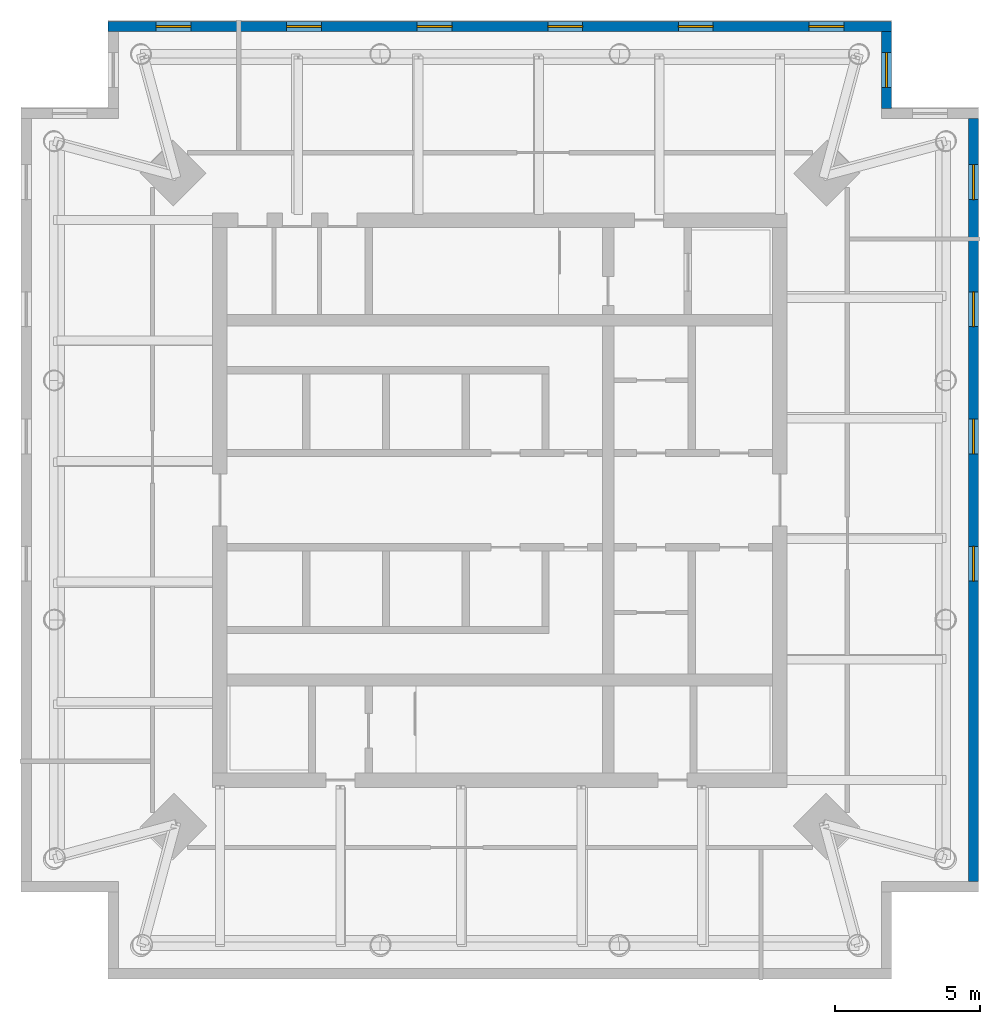
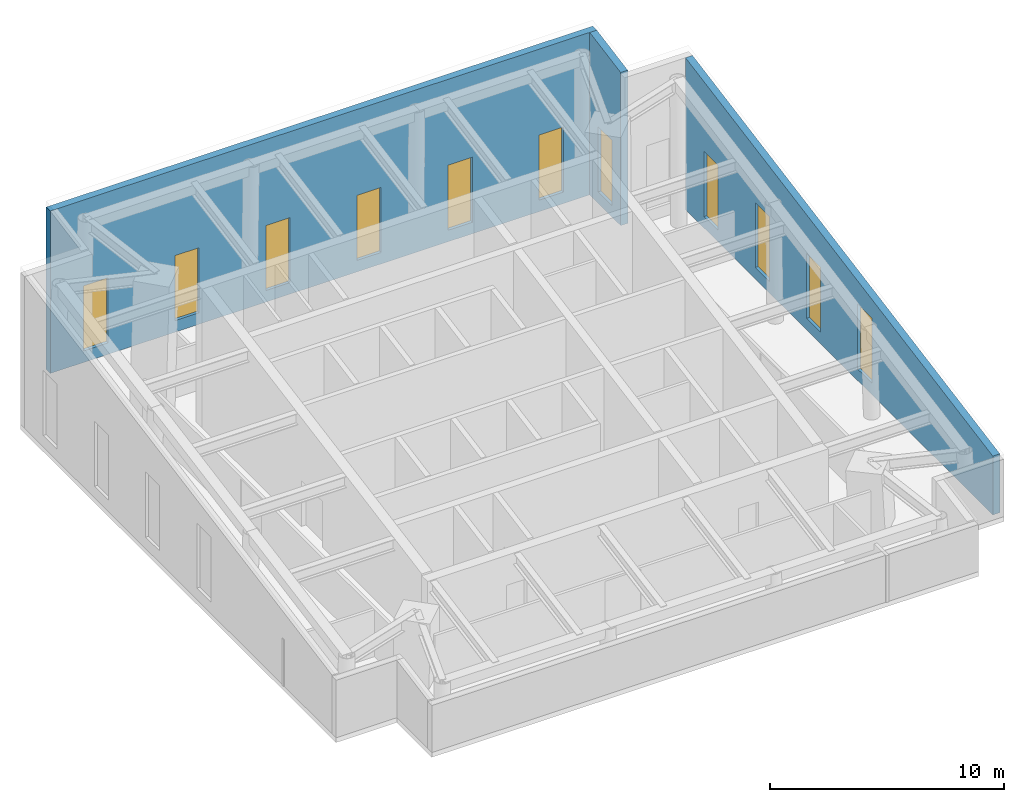
# One storey, part 4 of 5: 11 windows, 3 walls, 11 openings.
"""IFC4 building model written with IfcOpenShell, lengths in metres."""

import ifcopenshell
import ifcopenshell.guid

model = None  # the IFC model being written
_history = None  # IfcOwnerHistory: only IFC2X3 demands one
_inside = {}  # id of a spatial element -> (the spatial element, [elements in it])
_under = {}  # id of a project, library or spatial element -> (it, [spatial elements below it])
_declared = {}  # id of a project -> (the project, [libraries it declares])
_typed = {}  # id of a type object -> (the type object, [elements of that type])
_made_of = {}  # id of a material, layer set ... -> (it, [elements and type objects made of it])


def new_model(schema):
    """Start an empty IFC model of exactly this schema.

    Asked for "IFC4X3", IfcOpenShell would pick the latest addendum, in which some entities
    have other attributes; the version numbers below select the first issue.
    IFC2X3 requires an IfcOwnerHistory on every rooted entity: one is made here for all.
    """
    global model, _history
    if schema == "IFC4X3":
        model = ifcopenshell.file(schema_version=(4, 3, 0, 0))
    else:
        model = ifcopenshell.file(schema=schema)
    _inside.clear()
    _under.clear()
    _declared.clear()
    _typed.clear()
    _made_of.clear()
    _history = None
    if model.schema == "IFC2X3":
        org = make("IfcOrganization", Name="unknown")
        user = make(
            "IfcPersonAndOrganization",
            ThePerson=make("IfcPerson", FamilyName="unknown"),
            TheOrganization=org,
        )
        app = make(
            "IfcApplication",
            ApplicationDeveloper=org,
            Version="unknown",
            ApplicationFullName="unknown",
            ApplicationIdentifier="unknown",
        )
        _history = make(
            "IfcOwnerHistory",
            OwningUser=user,
            OwningApplication=app,
            ChangeAction="ADDED",
            CreationDate=0,
        )
    return model


def make(cls, **values):
    """One entity of the class cls with the attributes given. An attribute that is None is left unset."""
    return model.create_entity(
        cls, **{name: value for name, value in values.items() if value is not None}
    )


def rooted(cls, **values):
    """An entity with a GlobalId (a new one), such as an element, a storey or a relation."""
    return make(cls, GlobalId=ifcopenshell.guid.new(), OwnerHistory=_history, **values)


def si_unit(unit_type, name, prefix=None):
    """IfcSIUnit, for example si_unit("LENGTHUNIT", "METRE", prefix="MILLI")."""
    return make("IfcSIUnit", UnitType=unit_type, Prefix=prefix, Name=name)


def assignment(units):
    """IfcUnitAssignment: the units of a project."""
    return None if units is None else make("IfcUnitAssignment", Units=units)


def point(xyz):
    """IfcCartesianPoint."""
    return None if xyz is None else make("IfcCartesianPoint", Coordinates=xyz)


def direction(xyz):
    """IfcDirection."""
    return None if xyz is None else make("IfcDirection", DirectionRatios=xyz)


def frame(location, z_axis=None, x_axis=None):
    """IfcAxis2Placement3D, a coordinate frame: its origin and axes. An axis left out is left unset."""
    return make(
        "IfcAxis2Placement3D",
        Location=point(location),
        Axis=direction(z_axis),
        RefDirection=direction(x_axis),
    )


def frame_2d(location, x_axis=None):
    """IfcAxis2Placement2D, a coordinate frame in the plane: its origin and x axis."""
    return make(
        "IfcAxis2Placement2D", Location=point(location), RefDirection=direction(x_axis)
    )


def origin():
    """The frame at (0, 0, 0) with its axes left unset."""
    return frame((0.0, 0.0, 0.0))


def place(relative_to, where):
    """IfcLocalPlacement: puts the frame where relative to a parent placement (None: the world)."""
    return make(
        "IfcLocalPlacement", PlacementRelTo=relative_to, RelativePlacement=where
    )


def context(
    kind, dimensions, precision=None, world=None, true_north=None, identifier=None
):
    """IfcGeometricRepresentationContext, for example the 3D "Model" context."""
    return make(
        "IfcGeometricRepresentationContext",
        ContextIdentifier=identifier,
        ContextType=kind,
        CoordinateSpaceDimension=dimensions,
        Precision=precision,
        WorldCoordinateSystem=world,
        TrueNorth=true_north,
    )


def subcontext(parent, identifier, kind, view, scale=None):
    """IfcGeometricRepresentationSubContext, for example "Body" below "Model"."""
    return make(
        "IfcGeometricRepresentationSubContext",
        ContextIdentifier=identifier,
        ContextType=kind,
        ParentContext=parent,
        TargetScale=scale,
        TargetView=view,
    )


def project(units=None, contexts=None):
    """IfcProject with its units and contexts."""
    return rooted(
        "IfcProject",
        Name="project",
        RepresentationContexts=contexts,
        UnitsInContext=assignment(units),
    )


def spatial(cls, under=None, at=None, **own):
    """A site, building, storey or space (cls), placed at a placement, below another one or the project."""
    s = rooted(cls, ObjectPlacement=at, **own)
    if under is not None:
        _under.setdefault(under.id(), (under, []))[1].append(s)
    return s


def polyline(points):
    """IfcPolyline through the points."""
    return make("IfcPolyline", Points=[point(p) for p in points])


def profile(cls, at=None, kind="AREA", **sizes):
    """A parametric profile (cls). Its sizes go by their IFC names, for example OverallWidth=200.0."""
    return make(cls, ProfileType=kind, Position=at, **sizes)


def rectangle(**sizes):
    """IfcRectangleProfileDef."""
    return profile("IfcRectangleProfileDef", **sizes)


def outline(outer, holes=None, kind="AREA"):
    """IfcArbitraryClosedProfileDef: a profile drawn as a closed curve; with holes, ...WithVoids."""
    if holes is None:
        return make("IfcArbitraryClosedProfileDef", ProfileType=kind, OuterCurve=outer)
    return make(
        "IfcArbitraryProfileDefWithVoids",
        ProfileType=kind,
        OuterCurve=outer,
        InnerCurves=holes,
    )


def extrude(swept, where, along, depth):
    """IfcExtrudedAreaSolid: the profile swept, set in the frame where, extruded along a direction by depth."""
    return make(
        "IfcExtrudedAreaSolid",
        SweptArea=swept,
        Position=where,
        ExtrudedDirection=direction(along),
        Depth=depth,
    )


def shape(context_of_items, identifier, shape_type, items):
    """IfcShapeRepresentation: the items that make up one representation, for example the "Body"."""
    return make(
        "IfcShapeRepresentation",
        ContextOfItems=context_of_items,
        RepresentationIdentifier=identifier,
        RepresentationType=shape_type,
        Items=items,
    )


def material(Name=None, Category=None):
    """IfcMaterial."""
    return make("IfcMaterial", Name=Name, Category=Category)


def layer(
    of_material, thickness, ventilated=None, Name=None, Category=None, Priority=None
):
    """IfcMaterialLayer: one layer of a wall or slab, of a material (None: an air gap)."""
    return make(
        "IfcMaterialLayer",
        Material=of_material,
        LayerThickness=thickness,
        IsVentilated=ventilated,
        Name=Name,
        Category=Category,
        Priority=Priority,
    )


def layer_set(layers, Name=None):
    """IfcMaterialLayerSet."""
    return make("IfcMaterialLayerSet", MaterialLayers=layers, LayerSetName=Name)


def made_of(thing, what):
    """Note that an element or type object is made of a material, layer set ...; save() writes the relation."""
    if what is not None:
        _made_of.setdefault(what.id(), (what, []))[1].append(thing)
    return thing


def type_object(cls, material=None, **own):
    """A type object (cls), such as IfcWallType, which elements share."""
    return made_of(rooted(cls, **own), material)


def element(
    cls,
    number,
    at=None,
    inside=None,
    cuts=None,
    type_object=None,
    material=None,
    context=None,
    identifier="Body",
    shape_type=None,
    held_by="IfcProductDefinitionShape",
    body=None,
    shapes=None,
    **own,
):
    """One element of the class cls, such as IfcWall. Its Tag is "e" and its number.

    at: its placement. inside: the storey or other place that contains it. cuts: it is an
    opening in that element (IfcRelVoidsElement). A single representation is given by context,
    identifier, shape_type and body (its items); several are given by shapes. held_by: the class
    of the entity that holds the representations. save() writes the other relations.
    """
    e = rooted(cls, Tag="e%d" % number, ObjectPlacement=at, **own)
    if body is not None:
        shapes = [shape(context, identifier, shape_type, body)]
    if shapes is not None:
        e.Representation = make(held_by, Representations=shapes)
    if inside is not None:
        _inside.setdefault(inside.id(), (inside, []))[1].append(e)
    if cuts is not None:
        rooted(
            "IfcRelVoidsElement", RelatingBuildingElement=cuts, RelatedOpeningElement=e
        )
    if type_object is not None:
        _typed.setdefault(type_object.id(), (type_object, []))[1].append(e)
    return made_of(e, material)


def fill(opening, filler):
    """IfcRelFillsElement: the door or window that sits in an opening."""
    return rooted(
        "IfcRelFillsElement",
        RelatingOpeningElement=opening,
        RelatedBuildingElement=filler,
    )


def aggregate(whole, parts):
    """IfcRelAggregates: a whole, such as a stair, and the parts it consists of."""
    return rooted("IfcRelAggregates", RelatingObject=whole, RelatedObjects=parts)


def save(model, path):
    """Write the relations noted so far, then the file.

    IfcRelAggregates (storeys below a building ...), IfcRelContainedInSpatialStructure (elements
    in a storey), IfcRelDefinesByType, IfcRelAssociatesMaterial and IfcRelDeclares: one each for
    every whole, place, type object, material and project.
    """
    for whole, parts in _under.values():
        aggregate(whole, parts)
    for where, things in _inside.values():
        rooted(
            "IfcRelContainedInSpatialStructure",
            RelatedElements=things,
            RelatingStructure=where,
        )
    for kind, things in _typed.values():
        rooted("IfcRelDefinesByType", RelatedObjects=things, RelatingType=kind)
    for what, things in _made_of.values():
        rooted("IfcRelAssociatesMaterial", RelatedObjects=things, RelatingMaterial=what)
    for by, libraries in _declared.values():
        rooted("IfcRelDeclares", RelatingContext=by, RelatedDefinitions=libraries)
    model.write(path)


model = new_model("IFC4")

# Units and contexts
model_context = context("Model", 3, precision=1e-05, world=origin(), true_north=direction((0.0, 1.0)))
body_context = subcontext(model_context, "Body", "Model", "MODEL_VIEW")
ifc_project = project(units=[si_unit("LENGTHUNIT", "METRE"), si_unit("AREAUNIT", "SQUARE_METRE"), si_unit("VOLUMEUNIT", "CUBIC_METRE"), si_unit("PLANEANGLEUNIT", "RADIAN"), si_unit("MASSUNIT", "GRAM", prefix="KILO")], contexts=[model_context])

# Site, building, storey
site_placement = place(None, origin())
site = spatial("IfcSite", under=ifc_project, at=site_placement, CompositionType="ELEMENT")
building_placement = place(site_placement, origin())
building = spatial("IfcBuilding", under=site, at=building_placement, Name="Ostroluk Exchange", CompositionType="ELEMENT")
storey_placement = place(building_placement, frame((0.0, 0.0, 290.800048828125)))
storey = spatial("IfcBuildingStorey", under=building, at=storey_placement, Name="L75", CompositionType="ELEMENT", Elevation=290.800048828125)

# Wall, openings, windows
ifc_material_1 = material(Name="Limestone", Category="masonry")
ifc_layer = layer(ifc_material_1, 0.35009765625)
ifc_layer_set = layer_set([ifc_layer], Name="Limestone facade wall 350")
wall_type = type_object("IfcWallType", Name="Limestone facade wall 350", PredefinedType="SOLIDWALL", material=ifc_layer_set)
wall_1_placement = place(storey_placement, frame((61.324951171875, 32.85009765625, 0.0), z_axis=(0.0, 0.0, 1.0), x_axis=(0.0, 1.0, 0.0)))
wall_1 = element("IfcWall", 1, at=wall_1_placement, inside=storey, type_object=wall_type, Name="Office tower crown wall 4", PredefinedType="SOLIDWALL", context=body_context, shape_type="SweptSolid", body=[
    extrude(outline(polyline([(0.0, 0.0), (26.2998046875, 0.0), (26.300048828125, 7.9306640625), (0.0, 3.069091796875), (0.0, 0.0)])), frame((0.0, 0.175048828125, 0.0), z_axis=(0.0, -1.0, 0.0), x_axis=(1.0, 0.0, 0.0)), (0.0, 0.0, 1.0), 0.35009765625),
])
opening_1_placement = place(wall_1_placement, frame((10.3583984375, 0.0, 0.60009765625)))
opening_1 = element("IfcOpeningElement", 2, at=opening_1_placement, cuts=wall_1, Name="Opening WN-LV2", PredefinedType="OPENING", context=body_context, shape_type="SweptSolid", body=[
    extrude(rectangle(XDim=1.199951171875, YDim=3.39990234375, at=frame_2d((0.60009765625, 1.699951171875))), frame((0.0, 0.18505859375, 0.0), z_axis=(0.0, -1.0, 0.0), x_axis=(1.0, 0.0, 0.0)), (0.0, 0.0, 1.0), 0.3701171875),
])
opening_2_placement = place(wall_1_placement, frame((14.74169921875, 0.0, 0.60009765625)))
opening_2 = element("IfcOpeningElement", 3, at=opening_2_placement, cuts=wall_1, Name="Opening WN-LV2", PredefinedType="OPENING", context=body_context, shape_type="SweptSolid", body=[
    extrude(rectangle(XDim=1.199951171875, YDim=3.39990234375, at=frame_2d((0.60009765625, 1.699951171875))), frame((0.0, 0.18505859375, 0.0), z_axis=(0.0, -1.0, 0.0), x_axis=(1.0, 0.0, 0.0)), (0.0, 0.0, 1.0), 0.3701171875),
])
opening_3_placement = place(wall_1_placement, frame((19.125, 0.0, 0.60009765625)))
opening_3 = element("IfcOpeningElement", 4, at=opening_3_placement, cuts=wall_1, Name="Opening WN-LV2", PredefinedType="OPENING", context=body_context, shape_type="SweptSolid", body=[
    extrude(rectangle(XDim=1.199951171875, YDim=3.39990234375, at=frame_2d((0.60009765625, 1.699951171875))), frame((0.0, 0.18505859375, 0.0), z_axis=(0.0, -1.0, 0.0), x_axis=(1.0, 0.0, 0.0)), (0.0, 0.0, 1.0), 0.3701171875),
])
opening_4_placement = place(wall_1_placement, frame((23.50830078125, 0.0, 0.60009765625)))
opening_4 = element("IfcOpeningElement", 5, at=opening_4_placement, cuts=wall_1, Name="Opening WN-LV2", PredefinedType="OPENING", context=body_context, shape_type="SweptSolid", body=[
    extrude(rectangle(XDim=1.199951171875, YDim=3.39990234375, at=frame_2d((0.60009765625, 1.699951171875))), frame((0.0, 0.18505859375, 0.0), z_axis=(0.0, -1.0, 0.0), x_axis=(1.0, 0.0, 0.0)), (0.0, 0.0, 1.0), 0.3701171875),
])
ifc_material_2 = material(Name="Aluminium louvre", Category="aluminium")
window_type = type_object("IfcWindowType", Name="Crown louvre 1200 x 3400", PartitioningType="SINGLE_PANEL", PredefinedType="USERDEFINED", material=ifc_material_2)
window_1_placement = place(opening_1_placement, origin())
window_1 = element("IfcWindow", 6, at=window_1_placement, inside=storey, type_object=window_type, Name="Office tower crown louvre 4.3", ObjectType="LOUVRE", OverallHeight=3.39990234375, OverallWidth=1.199951171875, PartitioningType="SINGLE_PANEL", PredefinedType="USERDEFINED", context=body_context, shape_type="SweptSolid", body=[
    extrude(rectangle(XDim=1.199951171875, YDim=3.39990234375, at=frame_2d((0.60009765625, 1.699951171875))), frame((0.0, 0.030029296875, 0.0), z_axis=(0.0, -1.0, 0.0), x_axis=(1.0, 0.0, 0.0)), (0.0, 0.0, 1.0), 0.06005859375),
])
fill(opening_1, window_1)
window_2_placement = place(opening_2_placement, origin())
window_2 = element("IfcWindow", 7, at=window_2_placement, inside=storey, type_object=window_type, Name="Office tower crown louvre 4.4", ObjectType="LOUVRE", OverallHeight=3.39990234375, OverallWidth=1.199951171875, PartitioningType="SINGLE_PANEL", PredefinedType="USERDEFINED", context=body_context, shape_type="SweptSolid", body=[
    extrude(rectangle(XDim=1.199951171875, YDim=3.39990234375, at=frame_2d((0.60009765625, 1.699951171875))), frame((0.0, 0.030029296875, 0.0), z_axis=(0.0, -1.0, 0.0), x_axis=(1.0, 0.0, 0.0)), (0.0, 0.0, 1.0), 0.06005859375),
])
fill(opening_2, window_2)
window_3_placement = place(opening_3_placement, origin())
window_3 = element("IfcWindow", 8, at=window_3_placement, inside=storey, type_object=window_type, Name="Office tower crown louvre 4.5", ObjectType="LOUVRE", OverallHeight=3.39990234375, OverallWidth=1.199951171875, PartitioningType="SINGLE_PANEL", PredefinedType="USERDEFINED", context=body_context, shape_type="SweptSolid", body=[
    extrude(rectangle(XDim=1.199951171875, YDim=3.39990234375, at=frame_2d((0.60009765625, 1.699951171875))), frame((0.0, 0.030029296875, 0.0), z_axis=(0.0, -1.0, 0.0), x_axis=(1.0, 0.0, 0.0)), (0.0, 0.0, 1.0), 0.06005859375),
])
fill(opening_3, window_3)
window_4_placement = place(opening_4_placement, origin())
window_4 = element("IfcWindow", 9, at=window_4_placement, inside=storey, type_object=window_type, Name="Office tower crown louvre 4.6", ObjectType="LOUVRE", OverallHeight=3.39990234375, OverallWidth=1.199951171875, PartitioningType="SINGLE_PANEL", PredefinedType="USERDEFINED", context=body_context, shape_type="SweptSolid", body=[
    extrude(rectangle(XDim=1.199951171875, YDim=3.39990234375, at=frame_2d((0.60009765625, 1.699951171875))), frame((0.0, 0.030029296875, 0.0), z_axis=(0.0, -1.0, 0.0), x_axis=(1.0, 0.0, 0.0)), (0.0, 0.0, 1.0), 0.06005859375),
])
fill(opening_4, window_4)

# Wall, opening, window
wall_2_placement = place(storey_placement, frame((58.324951171875, 59.5, 0.0), z_axis=(0.0, 0.0, 1.0), x_axis=(0.0, 1.0, 0.0)))
wall_2 = element("IfcWall", 10, at=wall_2_placement, inside=storey, type_object=wall_type, Name="Office tower crown wall 6", PredefinedType="SOLIDWALL", context=body_context, shape_type="SweptSolid", body=[
    extrude(outline(polyline([(0.0, 0.0), (2.64990234375, 0.0), (2.64990234375, 8.4853515625), (0.0, 7.995361328125), (0.0, 0.0)])), frame((0.0, 0.175048828125, 0.0), z_axis=(0.0, -1.0, 0.0), x_axis=(1.0, 0.0, 0.0)), (0.0, 0.0, 1.0), 0.35009765625),
])
opening_5_placement = place(wall_2_placement, frame((0.72509765625, 0.0, 0.60009765625)))
opening_5 = element("IfcOpeningElement", 11, at=opening_5_placement, cuts=wall_2, Name="Opening WN-LV2", PredefinedType="OPENING", context=body_context, shape_type="SweptSolid", body=[
    extrude(rectangle(XDim=1.199951171875, YDim=3.39990234375, at=frame_2d((0.60009765625, 1.699951171875))), frame((0.0, 0.18505859375, 0.0), z_axis=(0.0, -1.0, 0.0), x_axis=(1.0, 0.0, 0.0)), (0.0, 0.0, 1.0), 0.3701171875),
])
window_5_placement = place(opening_5_placement, origin())
window_5 = element("IfcWindow", 12, at=window_5_placement, inside=storey, type_object=window_type, Name="Office tower crown louvre 6.1", ObjectType="LOUVRE", OverallHeight=3.39990234375, OverallWidth=1.199951171875, PartitioningType="SINGLE_PANEL", PredefinedType="USERDEFINED", context=body_context, shape_type="SweptSolid", body=[
    extrude(rectangle(XDim=1.199951171875, YDim=3.39990234375, at=frame_2d((0.60009765625, 1.699951171875))), frame((0.0, 0.030029296875, 0.0), z_axis=(0.0, -1.0, 0.0), x_axis=(1.0, 0.0, 0.0)), (0.0, 0.0, 1.0), 0.06005859375),
])
fill(opening_5, window_5)

# Wall, openings, windows
wall_3_placement = place(storey_placement, frame((58.5, 62.324951171875, 0.0), z_axis=(0.0, 0.0, 1.0), x_axis=(-1.0, 0.0, 0.0)))
wall_3 = element("IfcWall", 13, at=wall_3_placement, inside=storey, type_object=wall_type, Name="Office tower crown wall 7", PredefinedType="SOLIDWALL", context=body_context, shape_type="SweptSolid", body=[
    extrude(rectangle(XDim=27.0, YDim=0.35009765625, at=frame_2d((13.5, 0.0))), origin(), (0.0, 0.0, 1.0), 8.4853515625),
])
opening_6_placement = place(wall_3_placement, frame((1.64990234375, 0.0, 0.60009765625)))
opening_6 = element("IfcOpeningElement", 14, at=opening_6_placement, cuts=wall_3, Name="Opening WN-LV2", PredefinedType="OPENING", context=body_context, shape_type="SweptSolid", body=[
    extrude(rectangle(XDim=1.199951171875, YDim=3.39990234375, at=frame_2d((0.60009765625, 1.699951171875))), frame((0.0, 0.18505859375, 0.0), z_axis=(0.0, -1.0, 0.0), x_axis=(1.0, 0.0, 0.0)), (0.0, 0.0, 1.0), 0.3701171875),
])
opening_7_placement = place(wall_3_placement, frame((6.14990234375, 0.0, 0.60009765625)))
opening_7 = element("IfcOpeningElement", 15, at=opening_7_placement, cuts=wall_3, Name="Opening WN-LV2", PredefinedType="OPENING", context=body_context, shape_type="SweptSolid", body=[
    extrude(rectangle(XDim=1.199951171875, YDim=3.39990234375, at=frame_2d((0.60009765625, 1.699951171875))), frame((0.0, 0.18505859375, 0.0), z_axis=(0.0, -1.0, 0.0), x_axis=(1.0, 0.0, 0.0)), (0.0, 0.0, 1.0), 0.3701171875),
])
opening_8_placement = place(wall_3_placement, frame((10.64990234375, 0.0, 0.60009765625)))
opening_8 = element("IfcOpeningElement", 16, at=opening_8_placement, cuts=wall_3, Name="Opening WN-LV2", PredefinedType="OPENING", context=body_context, shape_type="SweptSolid", body=[
    extrude(rectangle(XDim=1.199951171875, YDim=3.39990234375, at=frame_2d((0.60009765625, 1.699951171875))), frame((0.0, 0.18505859375, 0.0), z_axis=(0.0, -1.0, 0.0), x_axis=(1.0, 0.0, 0.0)), (0.0, 0.0, 1.0), 0.3701171875),
])
opening_9_placement = place(wall_3_placement, frame((15.14990234375, 0.0, 0.60009765625)))
opening_9 = element("IfcOpeningElement", 17, at=opening_9_placement, cuts=wall_3, Name="Opening WN-LV2", PredefinedType="OPENING", context=body_context, shape_type="SweptSolid", body=[
    extrude(rectangle(XDim=1.199951171875, YDim=3.39990234375, at=frame_2d((0.60009765625, 1.699951171875))), frame((0.0, 0.18505859375, 0.0), z_axis=(0.0, -1.0, 0.0), x_axis=(1.0, 0.0, 0.0)), (0.0, 0.0, 1.0), 0.3701171875),
])
opening_10_placement = place(wall_3_placement, frame((19.64990234375, 0.0, 0.60009765625)))
opening_10 = element("IfcOpeningElement", 18, at=opening_10_placement, cuts=wall_3, Name="Opening WN-LV2", PredefinedType="OPENING", context=body_context, shape_type="SweptSolid", body=[
    extrude(rectangle(XDim=1.199951171875, YDim=3.39990234375, at=frame_2d((0.60009765625, 1.699951171875))), frame((0.0, 0.18505859375, 0.0), z_axis=(0.0, -1.0, 0.0), x_axis=(1.0, 0.0, 0.0)), (0.0, 0.0, 1.0), 0.3701171875),
])
opening_11_placement = place(wall_3_placement, frame((24.14990234375, 0.0, 0.60009765625)))
opening_11 = element("IfcOpeningElement", 19, at=opening_11_placement, cuts=wall_3, Name="Opening WN-LV2", PredefinedType="OPENING", context=body_context, shape_type="SweptSolid", body=[
    extrude(rectangle(XDim=1.199951171875, YDim=3.39990234375, at=frame_2d((0.60009765625, 1.699951171875))), frame((0.0, 0.18505859375, 0.0), z_axis=(0.0, -1.0, 0.0), x_axis=(1.0, 0.0, 0.0)), (0.0, 0.0, 1.0), 0.3701171875),
])
window_6_placement = place(opening_6_placement, origin())
window_6 = element("IfcWindow", 20, at=window_6_placement, inside=storey, type_object=window_type, Name="Office tower crown louvre 7.1", ObjectType="LOUVRE", OverallHeight=3.39990234375, OverallWidth=1.199951171875, PartitioningType="SINGLE_PANEL", PredefinedType="USERDEFINED", context=body_context, shape_type="SweptSolid", body=[
    extrude(rectangle(XDim=1.199951171875, YDim=3.39990234375, at=frame_2d((0.60009765625, 1.699951171875))), frame((0.0, 0.030029296875, 0.0), z_axis=(0.0, -1.0, 0.0), x_axis=(1.0, 0.0, 0.0)), (0.0, 0.0, 1.0), 0.06005859375),
])
fill(opening_6, window_6)
window_7_placement = place(opening_7_placement, origin())
window_7 = element("IfcWindow", 21, at=window_7_placement, inside=storey, type_object=window_type, Name="Office tower crown louvre 7.2", ObjectType="LOUVRE", OverallHeight=3.39990234375, OverallWidth=1.199951171875, PartitioningType="SINGLE_PANEL", PredefinedType="USERDEFINED", context=body_context, shape_type="SweptSolid", body=[
    extrude(rectangle(XDim=1.199951171875, YDim=3.39990234375, at=frame_2d((0.60009765625, 1.699951171875))), frame((0.0, 0.030029296875, 0.0), z_axis=(0.0, -1.0, 0.0), x_axis=(1.0, 0.0, 0.0)), (0.0, 0.0, 1.0), 0.06005859375),
])
fill(opening_7, window_7)
window_8_placement = place(opening_8_placement, origin())
window_8 = element("IfcWindow", 22, at=window_8_placement, inside=storey, type_object=window_type, Name="Office tower crown louvre 7.3", ObjectType="LOUVRE", OverallHeight=3.39990234375, OverallWidth=1.199951171875, PartitioningType="SINGLE_PANEL", PredefinedType="USERDEFINED", context=body_context, shape_type="SweptSolid", body=[
    extrude(rectangle(XDim=1.199951171875, YDim=3.39990234375, at=frame_2d((0.60009765625, 1.699951171875))), frame((0.0, 0.030029296875, 0.0), z_axis=(0.0, -1.0, 0.0), x_axis=(1.0, 0.0, 0.0)), (0.0, 0.0, 1.0), 0.06005859375),
])
fill(opening_8, window_8)
window_9_placement = place(opening_9_placement, origin())
window_9 = element("IfcWindow", 23, at=window_9_placement, inside=storey, type_object=window_type, Name="Office tower crown louvre 7.4", ObjectType="LOUVRE", OverallHeight=3.39990234375, OverallWidth=1.199951171875, PartitioningType="SINGLE_PANEL", PredefinedType="USERDEFINED", context=body_context, shape_type="SweptSolid", body=[
    extrude(rectangle(XDim=1.199951171875, YDim=3.39990234375, at=frame_2d((0.60009765625, 1.699951171875))), frame((0.0, 0.030029296875, 0.0), z_axis=(0.0, -1.0, 0.0), x_axis=(1.0, 0.0, 0.0)), (0.0, 0.0, 1.0), 0.06005859375),
])
fill(opening_9, window_9)
window_10_placement = place(opening_10_placement, origin())
window_10 = element("IfcWindow", 24, at=window_10_placement, inside=storey, type_object=window_type, Name="Office tower crown louvre 7.5", ObjectType="LOUVRE", OverallHeight=3.39990234375, OverallWidth=1.199951171875, PartitioningType="SINGLE_PANEL", PredefinedType="USERDEFINED", context=body_context, shape_type="SweptSolid", body=[
    extrude(rectangle(XDim=1.199951171875, YDim=3.39990234375, at=frame_2d((0.60009765625, 1.699951171875))), frame((0.0, 0.030029296875, 0.0), z_axis=(0.0, -1.0, 0.0), x_axis=(1.0, 0.0, 0.0)), (0.0, 0.0, 1.0), 0.06005859375),
])
fill(opening_10, window_10)
window_11_placement = place(opening_11_placement, origin())
window_11 = element("IfcWindow", 25, at=window_11_placement, inside=storey, type_object=window_type, Name="Office tower crown louvre 7.6", ObjectType="LOUVRE", OverallHeight=3.39990234375, OverallWidth=1.199951171875, PartitioningType="SINGLE_PANEL", PredefinedType="USERDEFINED", context=body_context, shape_type="SweptSolid", body=[
    extrude(rectangle(XDim=1.199951171875, YDim=3.39990234375, at=frame_2d((0.60009765625, 1.699951171875))), frame((0.0, 0.030029296875, 0.0), z_axis=(0.0, -1.0, 0.0), x_axis=(1.0, 0.0, 0.0)), (0.0, 0.0, 1.0), 0.06005859375),
])
fill(opening_11, window_11)

save(model, "model.ifc")
